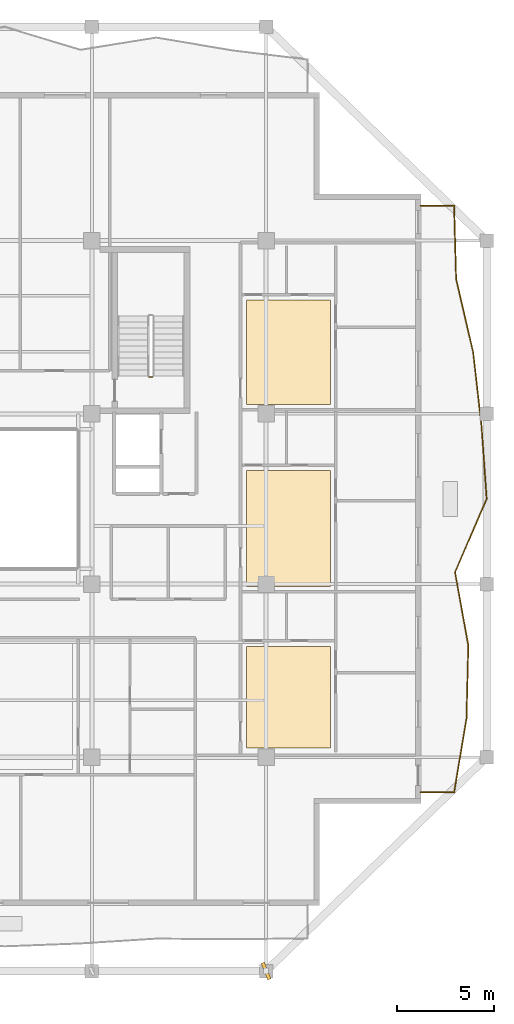
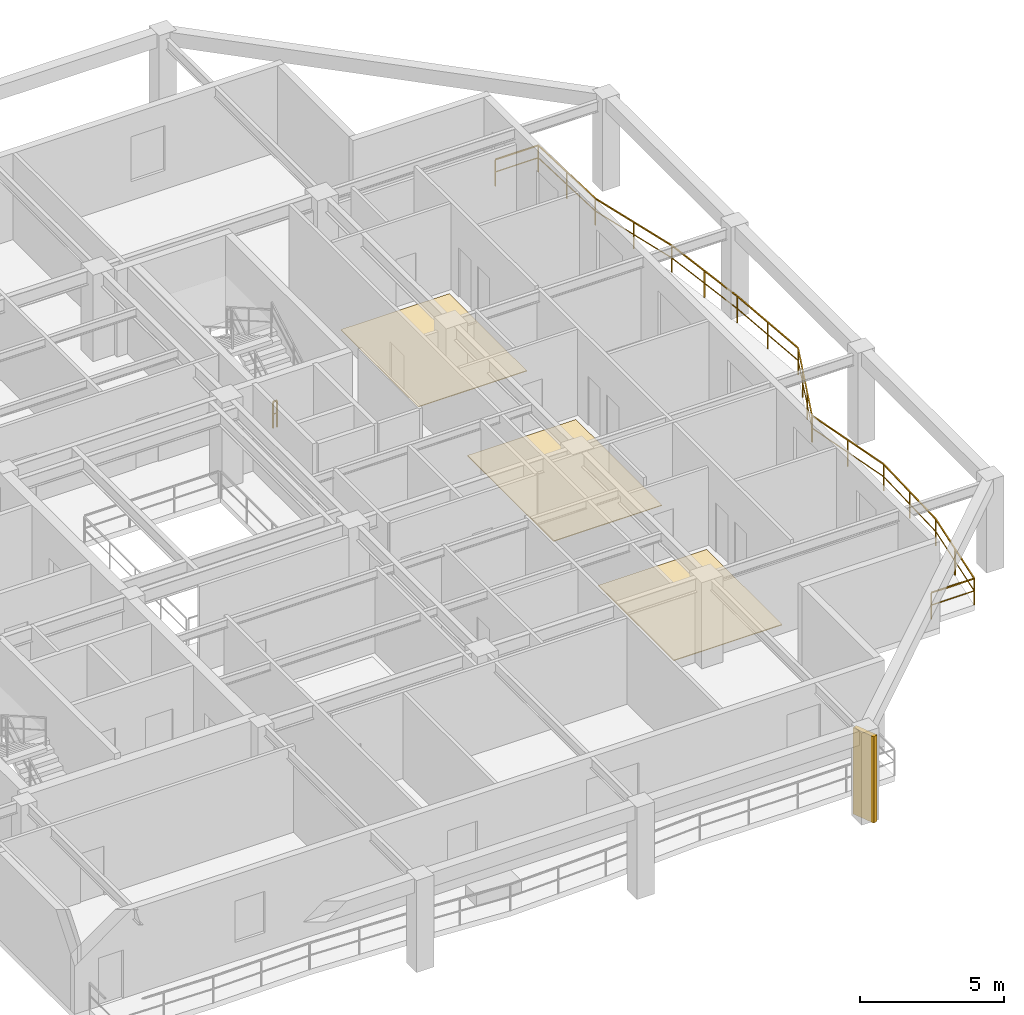
# One storey, part 10 of 13: 3 coverings, 2 railings, 1 shading device.
"""IFC4 building model written with IfcOpenShell, lengths in metres."""

from ifc_helpers import new_model, si_unit, direction, frame, origin, origin_2d, place, context, subcontext, project, spatial, polyline, rectangle, outline, extrude, material, layer, layer_set, type_object, element, save


model = new_model("IFC4")

# Units and contexts
model_context = context("Model", 3, precision=1e-05, world=origin(), true_north=direction((0.0, 1.0)))
body_context = subcontext(model_context, "Body", "Model", "MODEL_VIEW")
ifc_project = project(units=[si_unit("LENGTHUNIT", "METRE"), si_unit("AREAUNIT", "SQUARE_METRE"), si_unit("VOLUMEUNIT", "CUBIC_METRE"), si_unit("PLANEANGLEUNIT", "RADIAN"), si_unit("MASSUNIT", "GRAM", prefix="KILO")], contexts=[model_context])

# Site, building, storey
site_placement = place(None, origin())
site = spatial("IfcSite", under=ifc_project, at=site_placement, CompositionType="ELEMENT")
building_placement = place(site_placement, origin())
building = spatial("IfcBuilding", under=site, at=building_placement, Name="Kundavana Baori Tower", CompositionType="ELEMENT")
storey_placement = place(building_placement, frame((0.0, 0.0, 229.699951171875)))
storey = spatial("IfcBuildingStorey", under=building, at=storey_placement, Name="L56", CompositionType="ELEMENT", Elevation=229.699951171875)

# Coverings
ifc_material_1 = material(Name="Honed Kota Stone and Terrazzo Flooring", Category="masonry")
ifc_layer = layer(ifc_material_1, 0.030029296875, Name="COV-INT-FLR")
ifc_layer_set = layer_set([ifc_layer], Name="Honed Kota Stone and Terrazzo Flooring")
covering_type = type_object("IfcCoveringType", Name="COV-INT-FLR", PredefinedType="FLOORING", material=ifc_layer_set)
covering_1_placement = place(storey_placement, origin())
element("IfcCovering", 1, at=covering_1_placement, inside=storey, type_object=covering_type, Name="L56 Room Finished Stone Flooring 5", PredefinedType="FLOORING", context=body_context, shape_type="SweptSolid", body=[
    extrude(outline(polyline([(41.780029296875, 15.72998046875), (46.1298828125, 15.72998046875), (46.1298828125, 20.97998046875), (41.780029296875, 20.97998046875), (41.780029296875, 15.72998046875)])), origin(), (0.0, 0.0, 1.0), 0.030029296875),
])
covering_2_placement = place(storey_placement, origin())
element("IfcCovering", 2, at=covering_2_placement, inside=storey, type_object=covering_type, Name="L56 Room Finished Stone Flooring 6", PredefinedType="FLOORING", context=body_context, shape_type="SweptSolid", body=[
    extrude(outline(polyline([(41.780029296875, 24.080078125), (46.1298828125, 24.080078125), (46.1298828125, 30.070068359375), (41.780029296875, 30.070068359375), (41.780029296875, 24.080078125)])), origin(), (0.0, 0.0, 1.0), 0.030029296875),
])
covering_3_placement = place(storey_placement, origin())
element("IfcCovering", 3, at=covering_3_placement, inside=storey, type_object=covering_type, Name="L56 Room Finished Stone Flooring 7", PredefinedType="FLOORING", context=body_context, shape_type="SweptSolid", body=[
    extrude(outline(polyline([(41.780029296875, 33.47998046875), (46.1298828125, 33.47998046875), (46.1298828125, 38.8701171875), (41.780029296875, 38.8701171875), (41.780029296875, 33.47998046875)])), origin(), (0.0, 0.0, 1.0), 0.030029296875),
])

# Railings
ifc_material_2 = material(Name="Architectural Patinated Bronze Metalwork")
railing_type_1 = type_object("IfcRailingType", Name="RL-BAL-1150", PredefinedType="BALUSTRADE", material=ifc_material_2)
railing_1_placement = place(storey_placement, frame((50.800048828125, 43.75, 0.0)))
element("IfcRailing", 4, at=railing_1_placement, inside=storey, type_object=railing_type_1, Name="L56 Loggia Balcony Balustrade E", PredefinedType="BALUSTRADE", context=body_context, shape_type="SweptSolid", body=[
    extrude(rectangle(XDim=0.048095703125, YDim=0.048095703125, at=origin_2d()), frame((0.0, 0.0, 1.1259765625), z_axis=(1.0, 0.0, 0.0), x_axis=(0.0, 1.0, 0.0)), (0.0, 0.0, 1.0), 1.719970703125),
    extrude(rectangle(XDim=0.03125, YDim=0.03125, at=origin_2d()), frame((0.0, 0.0, 0.597900390625), z_axis=(1.0, 0.0, 0.0), x_axis=(0.0, 1.0, 0.0)), (0.0, 0.0, 1.0), 1.719970703125),
    extrude(rectangle(XDim=0.048095703125, YDim=0.048095703125, at=origin_2d()), frame((1.719970703125, 0.0, 1.1259765625), z_axis=(0.027960190916, -0.999609037436, 0.0), x_axis=(0.999609037436, 0.027960190916, 0.0)), (0.0, 0.0, 1.0), 3.78955078125),
    extrude(rectangle(XDim=0.03125, YDim=0.03125, at=origin_2d()), frame((1.719970703125, 0.0, 0.597900390625), z_axis=(0.027960190916, -0.999609037436, 0.0), x_axis=(0.999609037436, 0.027960190916, 0.0)), (0.0, 0.0, 1.0), 3.78955078125),
    extrude(rectangle(XDim=0.048095703125, YDim=0.048095703125, at=origin_2d()), frame((1.825927734375, -3.7880859375, 1.1259765625), z_axis=(0.226083950507, -0.9741078212, 0.0), x_axis=(0.9741078212, 0.226083950507, 0.0)), (0.0, 0.0, 1.0), 3.887451171875),
    extrude(rectangle(XDim=0.03125, YDim=0.03125, at=origin_2d()), frame((1.825927734375, -3.7880859375, 0.597900390625), z_axis=(0.226083950507, -0.9741078212, 0.0), x_axis=(0.9741078212, 0.226083950507, 0.0)), (0.0, 0.0, 1.0), 3.887451171875),
    extrude(rectangle(XDim=0.048095703125, YDim=0.048095703125, at=origin_2d()), frame((2.704833984375, -7.574951171875, 1.1259765625), z_axis=(0.113369559903, -0.993552888822, 0.0), x_axis=(0.993552888822, 0.113369559903, 0.0)), (0.0, 0.0, 1.0), 3.811767578125),
    extrude(rectangle(XDim=0.03125, YDim=0.03125, at=origin_2d()), frame((2.704833984375, -7.574951171875, 0.597900390625), z_axis=(0.113369559903, -0.993552888822, 0.0), x_axis=(0.993552888822, 0.113369559903, 0.0)), (0.0, 0.0, 1.0), 3.811767578125),
    extrude(rectangle(XDim=0.048095703125, YDim=0.048095703125, at=origin_2d()), frame((3.136962890625, -11.362060546875, 1.1259765625), z_axis=(0.069250047218, -0.997599333881, 0.0), x_axis=(0.997599333881, 0.069250047218, 0.0)), (0.0, 0.0, 1.0), 3.796875),
    extrude(rectangle(XDim=0.03125, YDim=0.03125, at=origin_2d()), frame((3.136962890625, -11.362060546875, 0.597900390625), z_axis=(0.069250047218, -0.997599333881, 0.0), x_axis=(0.997599333881, 0.069250047218, 0.0)), (0.0, 0.0, 1.0), 3.796875),
    extrude(rectangle(XDim=0.048095703125, YDim=0.048095703125, at=origin_2d()), frame((3.39990234375, -15.14990234375, 1.1259765625), z_axis=(-0.395233591769, -0.918580648575, 0.0), x_axis=(0.918580648575, -0.395233591769, 0.0)), (0.0, 0.0, 1.0), 4.123779296875),
    extrude(rectangle(XDim=0.03125, YDim=0.03125, at=origin_2d()), frame((3.39990234375, -15.14990234375, 0.597900390625), z_axis=(-0.395233591769, -0.918580648575, 0.0), x_axis=(0.918580648575, -0.395233591769, 0.0)), (0.0, 0.0, 1.0), 4.123779296875),
    extrude(rectangle(XDim=0.048095703125, YDim=0.048095703125, at=origin_2d()), frame((1.77001953125, -18.93798828125, 1.1259765625), z_axis=(0.177941914902, -0.9840409925, 0.0), x_axis=(0.9840409925, 0.177941914902, 0.0)), (0.0, 0.0, 1.0), 3.8486328125),
    extrude(rectangle(XDim=0.03125, YDim=0.03125, at=origin_2d()), frame((1.77001953125, -18.93798828125, 0.597900390625), z_axis=(0.177941914902, -0.9840409925, 0.0), x_axis=(0.9840409925, 0.177941914902, 0.0)), (0.0, 0.0, 1.0), 3.8486328125),
    extrude(rectangle(XDim=0.048095703125, YDim=0.048095703125, at=origin_2d()), frame((2.454833984375, -22.72509765625, 1.1259765625), z_axis=(-0.024813452264, -0.999692098892, 0.0), x_axis=(0.999692098892, -0.024813452264, 0.0)), (0.0, 0.0, 1.0), 3.7880859375),
    extrude(rectangle(XDim=0.03125, YDim=0.03125, at=origin_2d()), frame((2.454833984375, -22.72509765625, 0.597900390625), z_axis=(-0.024813452264, -0.999692098892, 0.0), x_axis=(0.999692098892, -0.024813452264, 0.0)), (0.0, 0.0, 1.0), 3.7880859375),
    extrude(rectangle(XDim=0.048095703125, YDim=0.048095703125, at=origin_2d()), frame((2.36083984375, -26.511962890625, 1.1259765625), z_axis=(-0.166809832026, -0.98598908713, 0.0), x_axis=(0.98598908713, -0.166809832026, 0.0)), (0.0, 0.0, 1.0), 3.841796875),
    extrude(rectangle(XDim=0.03125, YDim=0.03125, at=origin_2d()), frame((2.36083984375, -26.511962890625, 0.597900390625), z_axis=(-0.166809832026, -0.98598908713, 0.0), x_axis=(0.98598908713, -0.166809832026, 0.0)), (0.0, 0.0, 1.0), 3.841796875),
    extrude(rectangle(XDim=0.048095703125, YDim=0.048095703125, at=origin_2d()), frame((1.719970703125, -30.300048828125, 1.1259765625), z_axis=(-1.0, 0.0, 0.0), x_axis=(0.0, -1.0, 0.0)), (0.0, 0.0, 1.0), 1.719970703125),
    extrude(rectangle(XDim=0.03125, YDim=0.03125, at=origin_2d()), frame((1.719970703125, -30.300048828125, 0.597900390625), z_axis=(-1.0, 0.0, 0.0), x_axis=(0.0, -1.0, 0.0)), (0.0, 0.0, 1.0), 1.719970703125),
    extrude(rectangle(XDim=0.0419921875, YDim=0.0419921875, at=origin_2d()), origin(), (0.0, 0.0, 1.0), 1.101806640625),
    extrude(rectangle(XDim=0.0419921875, YDim=0.0419921875, at=origin_2d()), frame((1.719970703125, 0.0, 0.0)), (0.0, 0.0, 1.0), 1.101806640625),
    extrude(rectangle(XDim=0.0419921875, YDim=0.0419921875, at=origin_2d()), frame((1.77294921875, -1.89404296875, 0.0)), (0.0, 0.0, 1.0), 1.101806640625),
    extrude(rectangle(XDim=0.0419921875, YDim=0.0419921875, at=origin_2d()), frame((1.825927734375, -3.7880859375, 0.0)), (0.0, 0.0, 1.0), 1.101806640625),
    extrude(rectangle(XDim=0.0419921875, YDim=0.0419921875, at=origin_2d()), frame((2.265380859375, -5.681640625, 0.0)), (0.0, 0.0, 1.0), 1.101806640625),
    extrude(rectangle(XDim=0.0419921875, YDim=0.0419921875, at=origin_2d()), frame((2.704833984375, -7.574951171875, 0.0)), (0.0, 0.0, 1.0), 1.101806640625),
    extrude(rectangle(XDim=0.0419921875, YDim=0.0419921875, at=origin_2d()), frame((2.9208984375, -9.468505859375, 0.0)), (0.0, 0.0, 1.0), 1.101806640625),
    extrude(rectangle(XDim=0.0419921875, YDim=0.0419921875, at=origin_2d()), frame((3.136962890625, -11.362060546875, 0.0)), (0.0, 0.0, 1.0), 1.101806640625),
    extrude(rectangle(XDim=0.0419921875, YDim=0.0419921875, at=origin_2d()), frame((3.2685546875, -13.255859375, 0.0)), (0.0, 0.0, 1.0), 1.101806640625),
    extrude(rectangle(XDim=0.0419921875, YDim=0.0419921875, at=origin_2d()), frame((3.39990234375, -15.14990234375, 0.0)), (0.0, 0.0, 1.0), 1.101806640625),
    extrude(rectangle(XDim=0.0419921875, YDim=0.0419921875, at=origin_2d()), frame((2.856689453125, -16.41259765625, 0.0)), (0.0, 0.0, 1.0), 1.101806640625),
    extrude(rectangle(XDim=0.0419921875, YDim=0.0419921875, at=origin_2d()), frame((2.313232421875, -17.67529296875, 0.0)), (0.0, 0.0, 1.0), 1.101806640625),
    extrude(rectangle(XDim=0.0419921875, YDim=0.0419921875, at=origin_2d()), frame((1.77001953125, -18.93798828125, 0.0)), (0.0, 0.0, 1.0), 1.101806640625),
    extrude(rectangle(XDim=0.0419921875, YDim=0.0419921875, at=origin_2d()), frame((2.1123046875, -20.83154296875, 0.0)), (0.0, 0.0, 1.0), 1.101806640625),
    extrude(rectangle(XDim=0.0419921875, YDim=0.0419921875, at=origin_2d()), frame((2.454833984375, -22.72509765625, 0.0)), (0.0, 0.0, 1.0), 1.101806640625),
    extrude(rectangle(XDim=0.0419921875, YDim=0.0419921875, at=origin_2d()), frame((2.40771484375, -24.61865234375, 0.0)), (0.0, 0.0, 1.0), 1.101806640625),
    extrude(rectangle(XDim=0.0419921875, YDim=0.0419921875, at=origin_2d()), frame((2.36083984375, -26.511962890625, 0.0)), (0.0, 0.0, 1.0), 1.101806640625),
    extrude(rectangle(XDim=0.0419921875, YDim=0.0419921875, at=origin_2d()), frame((2.04052734375, -28.406005859375, 0.0)), (0.0, 0.0, 1.0), 1.101806640625),
    extrude(rectangle(XDim=0.0419921875, YDim=0.0419921875, at=origin_2d()), frame((1.719970703125, -30.300048828125, 0.0)), (0.0, 0.0, 1.0), 1.101806640625),
    extrude(rectangle(XDim=0.0419921875, YDim=0.0419921875, at=origin_2d()), frame((0.0, -30.300048828125, 0.0)), (0.0, 0.0, 1.0), 1.101806640625),
])
ifc_material_3 = material(Name="Architectural Patinated Bronze Metalwork")
railing_type_2 = type_object("IfcRailingType", Name="RL-GRD-1150", PredefinedType="GUARDRAIL", material=ifc_material_3)
railing_2_placement = place(storey_placement, frame((36.929931640625, 34.89990234375, 0.0)))
element("IfcRailing", 5, at=railing_2_placement, inside=storey, type_object=railing_type_2, Name="L56 ST3 stair guard 4", PredefinedType="GUARDRAIL", context=body_context, shape_type="SweptSolid", body=[
    extrude(rectangle(XDim=0.048095703125, YDim=0.048095703125, at=origin_2d()), frame((0.0, 0.0, 1.1259765625), z_axis=(-1.0, 0.0, 0.0), x_axis=(0.0, -1.0, 0.0)), (0.0, 0.0, 1.0), 0.159912109375),
    extrude(rectangle(XDim=0.03125, YDim=0.03125, at=origin_2d()), frame((0.0, 0.0, 0.597900390625), z_axis=(-1.0, 0.0, 0.0), x_axis=(0.0, -1.0, 0.0)), (0.0, 0.0, 1.0), 0.159912109375),
    extrude(rectangle(XDim=0.0419921875, YDim=0.0419921875, at=origin_2d()), origin(), (0.0, 0.0, 1.0), 1.101806640625),
    extrude(rectangle(XDim=0.0419921875, YDim=0.0419921875, at=origin_2d()), frame((-0.159912109375, 0.0, 0.0)), (0.0, 0.0, 1.0), 1.101806640625),
])

# Shading device
ifc_material_4 = material(Name="Red-Buff Dholpur Sandstone Cladding on Concrete C40/50", Category="masonry")
shading_device_type = type_object("IfcShadingDeviceType", Name="SHD-FIN-920", PredefinedType="JALOUSIE", material=ifc_material_4)
shading_device_placement = place(storey_placement, frame((42.800048828125, 4.199951171875, 0.0), z_axis=(0.0, 0.0, 1.0), x_axis=(0.927118459261, 0.37476841182, 0.0)))
element("IfcShadingDevice", 6, at=shading_device_placement, inside=storey, type_object=shading_device_type, Name="L56 Sweeping Dholpur Sandstone Facade Fin 4", PredefinedType="JALOUSIE", context=body_context, shape_type="SweptSolid", body=[
    extrude(rectangle(XDim=0.179931640625, YDim=0.919921875, at=origin_2d()), origin(), (0.0, 0.0, 1.0), 3.659912109375),
])

save(model, "model.ifc")
